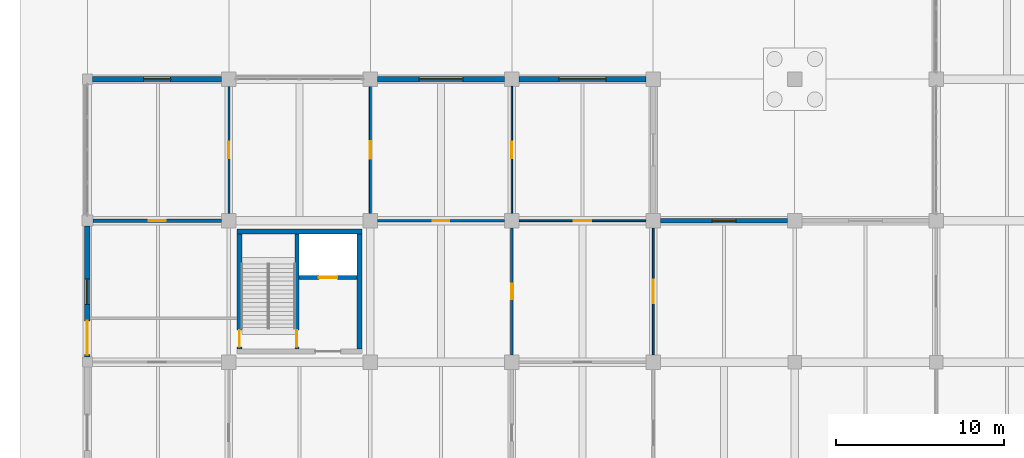
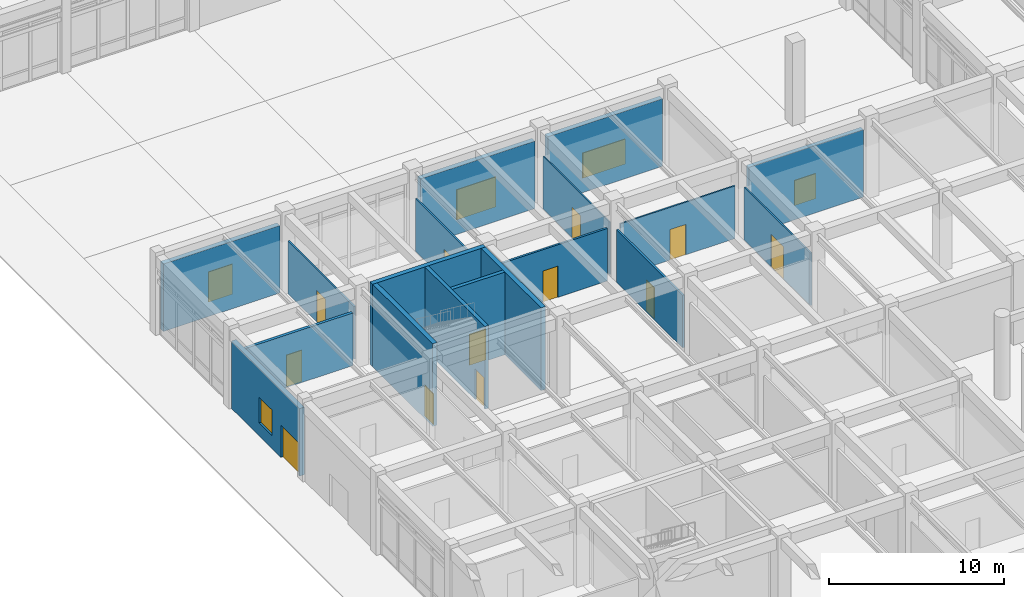
# One storey, part 71 of 91: 18 walls, 12 doors, 5 windows, 17 openings.
"""IFC4 building model written with IfcOpenShell, lengths in metres."""

from ifc_helpers import new_model, si_unit, direction, frame, frame_2d, origin, place, context, subcontext, project, spatial, rectangle, extrude, material, layer, layer_set, type_object, element, fill, save


model = new_model("IFC4")

# Units and contexts
model_context = context("Model", 3, precision=1e-05, world=origin(), true_north=direction((0.0, 1.0)))
body_context = subcontext(model_context, "Body", "Model", "MODEL_VIEW")
ifc_project = project(units=[si_unit("LENGTHUNIT", "METRE"), si_unit("AREAUNIT", "SQUARE_METRE"), si_unit("VOLUMEUNIT", "CUBIC_METRE"), si_unit("PLANEANGLEUNIT", "RADIAN"), si_unit("MASSUNIT", "GRAM", prefix="KILO")], contexts=[model_context])

# Site, building, storey
site_placement = place(None, origin())
site = spatial("IfcSite", under=ifc_project, at=site_placement, CompositionType="ELEMENT")
building_placement = place(site_placement, origin())
building = spatial("IfcBuilding", under=site, at=building_placement, Name="Porcellanite Civic Hall", CompositionType="ELEMENT")
storey_placement = place(building_placement, origin())
storey = spatial("IfcBuildingStorey", under=building, at=storey_placement, Name="L00", CompositionType="ELEMENT", Elevation=0.0)

# Wall, opening, door
ifc_material_1 = material(Name="Concrete N40 (40 MPa)", Category="concrete")
ifc_layer_1 = layer(ifc_material_1, 0.239990234375)
ifc_layer_set_1 = layer_set([ifc_layer_1], Name="Concrete N40 (40 MPa)")
wall_type_1 = type_object("IfcWallType", Name="CW-SH240", PredefinedType="SHEAR", material=ifc_layer_set_1)
wall_1_placement = place(storey_placement, frame((12.43994140625, 59.580078125, 0.0), z_axis=(0.0, 0.0, 1.0), x_axis=(0.0, 1.0, 0.0)))
wall_1 = element("IfcWall", 1, at=wall_1_placement, inside=storey, type_object=wall_type_1, Name="Core divider C2 L00", PredefinedType="SHEAR", context=body_context, shape_type="SweptSolid", body=[
    extrude(rectangle(XDim=6.83984375, YDim=0.239990234375, at=frame_2d((3.419921875, 0.0))), origin(), (0.0, 0.0, 1.0), 5.760009765625),
])
opening_1_placement = place(wall_1_placement, frame((0.1201171875, 0.0, 0.0)))
opening_1 = element("IfcOpeningElement", 2, at=opening_1_placement, cuts=wall_1, Name="Opening FD-C2-L00-ST", PredefinedType="OPENING", context=body_context, shape_type="SweptSolid", body=[
    extrude(rectangle(XDim=1.0, YDim=2.14990234375, at=frame_2d((0.5, 1.074951171875))), frame((0.0, 0.1201171875, 0.0), z_axis=(0.0, -1.0, 0.0), x_axis=(1.0, 0.0, 0.0)), (0.0, 0.0, 1.0), 0.239990234375),
])
ifc_material_2 = material(Name="Fire-rated solid-core hardwood timber", Category="wood")
door_type_1 = type_object("IfcDoorType", Name="DR-FD100", OperationType="NOTDEFINED", PredefinedType="DOOR", material=ifc_material_2)
door_1_placement = place(opening_1_placement, origin())
door_1 = element("IfcDoor", 3, at=door_1_placement, inside=storey, type_object=door_type_1, Name="Fire stair door FD-C2-L00-ST", OperationType="SINGLE_SWING_LEFT", OverallHeight=2.14990234375, OverallWidth=1.0, PredefinedType="DOOR", context=body_context, shape_type="SweptSolid", body=[
    extrude(rectangle(XDim=1.0, YDim=2.14990234375, at=frame_2d((0.5, 1.074951171875))), frame((0.0, 0.02490234375, 0.0), z_axis=(0.0, -1.0, 0.0), x_axis=(1.0, 0.0, 0.0)), (0.0, 0.0, 1.0), 0.050048828125),
])
fill(opening_1, door_1)

wall_2_placement = place(storey_placement, frame((12.56005859375, 63.820068359375, 0.0), z_axis=(0.0, 0.0, 1.0), x_axis=(1.0, 0.0, 0.0)))
wall_2 = element("IfcWall", 4, at=wall_2_placement, inside=storey, type_object=wall_type_1, Name="Lift shaft wall C2 L00", PredefinedType="SHEAR", context=body_context, shape_type="SweptSolid", body=[
    extrude(rectangle(XDim=3.4599609375, YDim=0.239990234375, at=frame_2d((1.72998046875, 0.0))), origin(), (0.0, 0.0, 1.0), 5.760009765625),
])
opening_2_placement = place(wall_2_placement, frame((1.179931640625, 0.0, 0.0)))
opening_2 = element("IfcOpeningElement", 5, at=opening_2_placement, cuts=wall_2, Name="Opening LD-04", PredefinedType="OPENING", context=body_context, shape_type="SweptSolid", body=[
    extrude(rectangle(XDim=1.10009765625, YDim=2.14990234375, at=frame_2d((0.550048828125, 1.074951171875))), frame((0.0, 0.1201171875, 0.0), z_axis=(0.0, -1.0, 0.0), x_axis=(1.0, 0.0, 0.0)), (0.0, 0.0, 1.0), 0.239990234375),
])
ifc_material_3 = material(Name="Brushed stainless steel 316", Category="steel")
door_type_2 = type_object("IfcDoorType", Name="DR-LD110", OperationType="DOUBLE_DOOR_SLIDING", PredefinedType="DOOR", material=ifc_material_3)
door_2_placement = place(opening_2_placement, origin())
door_2 = element("IfcDoor", 6, at=door_2_placement, inside=storey, type_object=door_type_2, Name="Lift landing sliding door LD-04 L00", OperationType="DOUBLE_DOOR_SLIDING", OverallHeight=2.14990234375, OverallWidth=1.10009765625, PredefinedType="DOOR", context=body_context, shape_type="SweptSolid", body=[
    extrude(rectangle(XDim=1.10009765625, YDim=2.14990234375, at=frame_2d((0.550048828125, 1.074951171875))), frame((0.0, 0.02490234375, 0.0), z_axis=(0.0, -1.0, 0.0), x_axis=(1.0, 0.0, 0.0)), (0.0, 0.0, 1.0), 0.050048828125),
])
fill(opening_2, door_2)

ifc_material_4 = material(Name="Concrete N40 (40 MPa)", Category="concrete")
ifc_layer_2 = layer(ifc_material_4, 0.300048828125)
ifc_layer_set_2 = layer_set([ifc_layer_2], Name="Concrete N40 (40 MPa)")
wall_type_2 = type_object("IfcWallType", Name="CW-SH300", PredefinedType="SHEAR", material=ifc_layer_set_2)
wall_3_placement = place(storey_placement, frame((9.030029296875, 59.580078125, 0.0), z_axis=(0.0, 0.0, 1.0), x_axis=(0.0, 1.0, 0.0)))
wall_3 = element("IfcWall", 7, at=wall_3_placement, inside=storey, type_object=wall_type_2, Name="Core wall C2 L00 W", PredefinedType="SHEAR", context=body_context, shape_type="SweptSolid", body=[
    extrude(rectangle(XDim=6.83984375, YDim=0.300048828125, at=frame_2d((3.419921875, 0.0))), origin(), (0.0, 0.0, 1.0), 5.760009765625),
])
opening_3_placement = place(wall_3_placement, frame((0.1201171875, 0.0, 0.0)))
opening_3 = element("IfcOpeningElement", 8, at=opening_3_placement, cuts=wall_3, Name="Opening FD-C2-L00-EX", PredefinedType="OPENING", context=body_context, shape_type="SweptSolid", body=[
    extrude(rectangle(XDim=1.0, YDim=2.14990234375, at=frame_2d((0.5, 1.074951171875))), frame((0.0, 0.14990234375, 0.0), z_axis=(0.0, -1.0, 0.0), x_axis=(1.0, 0.0, 0.0)), (0.0, 0.0, 1.0), 0.300048828125),
])
door_3_placement = place(opening_3_placement, origin())
door_3 = element("IfcDoor", 9, at=door_3_placement, inside=storey, type_object=door_type_1, Name="Fire stair exit door FD-C2-L00-EX", OperationType="SINGLE_SWING_RIGHT", OverallHeight=2.14990234375, OverallWidth=1.0, PredefinedType="DOOR", context=body_context, shape_type="SweptSolid", body=[
    extrude(rectangle(XDim=1.0, YDim=2.14990234375, at=frame_2d((0.5, 1.074951171875))), frame((0.0, 0.02490234375, 0.0), z_axis=(0.0, -1.0, 0.0), x_axis=(1.0, 0.0, 0.0)), (0.0, 0.0, 1.0), 0.050048828125),
])
fill(opening_3, door_3)

# Walls
wall_4_placement = place(storey_placement, frame((8.8798828125, 66.570068359375, 0.0), z_axis=(0.0, 0.0, 1.0), x_axis=(1.0, 0.0, 0.0)))
element("IfcWall", 10, at=wall_4_placement, inside=storey, type_object=wall_type_2, Name="Core wall C2 L00 N", PredefinedType="SHEAR", context=body_context, shape_type="SweptSolid", body=[
    extrude(rectangle(XDim=7.440185546875, YDim=0.300048828125, at=frame_2d((3.72021484375, 0.0))), origin(), (0.0, 0.0, 1.0), 5.760009765625),
])
wall_5_placement = place(storey_placement, frame((16.169921875, 66.419921875, 0.0), z_axis=(0.0, 0.0, 1.0), x_axis=(0.0, -1.0, 0.0)))
element("IfcWall", 11, at=wall_5_placement, inside=storey, type_object=wall_type_2, Name="Core wall C2 L00 E", PredefinedType="SHEAR", context=body_context, shape_type="SweptSolid", body=[
    extrude(rectangle(XDim=6.83984375, YDim=0.300048828125, at=frame_2d((3.419921875, 0.0))), origin(), (0.0, 0.0, 1.0), 5.760009765625),
])

# Wall, opening, window
ifc_material_5 = material(Name="Precast concrete N40 (40 MPa)", Category="concrete")
ifc_layer_3 = layer(ifc_material_5, 0.280029296875)
ifc_layer_set_3 = layer_set([ifc_layer_3], Name="Precast concrete N40 (40 MPa)")
wall_type_3 = type_object("IfcWallType", Name="EW-CLO280", PredefinedType="SOLIDWALL", material=ifc_layer_set_3)
wall_6_placement = place(storey_placement, frame((34.02587890625, 67.199951171875, 0.0), z_axis=(0.0, 0.0, 1.0), x_axis=(1.0, 0.0, 0.0)))
wall_6 = element("IfcWall", 12, at=wall_6_placement, inside=storey, type_object=wall_type_3, Name="Exterior wall L00 N 5-8", PredefinedType="SOLIDWALL", context=body_context, shape_type="SweptSolid", body=[
    extrude(rectangle(XDim=7.548095703125, YDim=0.280029296875, at=frame_2d((3.77392578125, 0.0))), origin(), (0.0, 0.0, 1.0), 4.699951171875),
])
opening_4_placement = place(wall_6_placement, frame((3.073974609375, 0.0, 0.89990234375)))
opening_4 = element("IfcOpeningElement", 13, at=opening_4_placement, cuts=wall_6, Name="Opening W16", PredefinedType="OPENING", context=body_context, shape_type="SweptSolid", body=[
    extrude(rectangle(XDim=1.39990234375, YDim=1.75, at=frame_2d((0.699951171875, 0.875))), frame((0.0, 0.14013671875, 0.0), z_axis=(0.0, -1.0, 0.0), x_axis=(1.0, 0.0, 0.0)), (0.0, 0.0, 1.0), 0.280029296875),
])
ifc_material_6 = material(Name="Cyclone laminated low-E glazing in anodised aluminium frame", Category="aluminium")
window_type_1 = type_object("IfcWindowType", Name="WN-16", PartitioningType="SINGLE_PANEL", PredefinedType="WINDOW", material=ifc_material_6)
window_1_placement = place(opening_4_placement, origin())
window_1 = element("IfcWindow", 14, at=window_1_placement, inside=storey, type_object=window_type_1, Name="Window W16 L00 N 5-8", OverallHeight=1.75, OverallWidth=1.39990234375, PartitioningType="SINGLE_PANEL", PredefinedType="WINDOW", context=body_context, shape_type="SweptSolid", body=[
    extrude(rectangle(XDim=1.39990234375, YDim=1.75, at=frame_2d((0.699951171875, 0.875))), frame((0.0, 0.030029296875, 0.0), z_axis=(0.0, -1.0, 0.0), x_axis=(1.0, 0.0, 0.0)), (0.0, 0.0, 1.0), 0.06005859375),
])
fill(opening_4, window_1)

# Wall, openings, door, window
ifc_material_7 = material(Name="Precast concrete N40 (40 MPa)", Category="concrete")
ifc_layer_4 = layer(ifc_material_7, 0.320068359375)
ifc_layer_set_4 = layer_set([ifc_layer_4], Name="Precast concrete N40 (40 MPa)")
wall_type_4 = type_object("IfcWallType", Name="EW-COM320", PredefinedType="SOLIDWALL", material=ifc_layer_set_4)
wall_7_placement = place(storey_placement, frame((0.0, 59.10107421875, 0.0), z_axis=(0.0, 0.0, 1.0), x_axis=(0.0, 1.0, 0.0)))
wall_7 = element("IfcWall", 15, at=wall_7_placement, inside=storey, type_object=wall_type_4, Name="Exterior wall L00 W 1-8", PredefinedType="SOLIDWALL", context=body_context, shape_type="SweptSolid", body=[
    extrude(rectangle(XDim=7.77294921875, YDim=0.320068359375, at=frame_2d((3.886474609375, 0.0))), origin(), (0.0, 0.0, 1.0), 4.699951171875),
])
opening_5_placement = place(wall_7_placement, frame((3.135986328125, 0.0, 0.89990234375)))
opening_5 = element("IfcOpeningElement", 16, at=opening_5_placement, cuts=wall_7, Name="Opening W04", PredefinedType="OPENING", context=body_context, shape_type="SweptSolid", body=[
    extrude(rectangle(XDim=1.5, YDim=1.800048828125, at=frame_2d((0.75, 0.89990234375))), frame((0.0, 0.16015625, 0.0), z_axis=(0.0, -1.0, 0.0), x_axis=(1.0, 0.0, 0.0)), (0.0, 0.0, 1.0), 0.320068359375),
])
opening_6_placement = place(wall_7_placement, frame((0.14892578125, 0.0, 0.0)))
opening_6 = element("IfcOpeningElement", 17, at=opening_6_placement, cuts=wall_7, Name="Opening ED-22", PredefinedType="OPENING", context=body_context, shape_type="SweptSolid", body=[
    extrude(rectangle(XDim=2.0, YDim=2.25, at=frame_2d((1.0, 1.125))), frame((0.0, 0.16015625, 0.0), z_axis=(0.0, -1.0, 0.0), x_axis=(1.0, 0.0, 0.0)), (0.0, 0.0, 1.0), 0.320068359375),
])
ifc_material_8 = material(Name="Anodised aluminium and laminated safety glass", Category="aluminium")
door_type_3 = type_object("IfcDoorType", Name="DR-EXIT180", OperationType="DOUBLE_DOOR_SINGLE_SWING", PredefinedType="DOOR", material=ifc_material_8)
door_4_placement = place(opening_6_placement, origin())
door_4 = element("IfcDoor", 18, at=door_4_placement, inside=storey, type_object=door_type_3, Name="Pedestrian final exit door ED-22", OperationType="DOUBLE_DOOR_SINGLE_SWING", OverallHeight=2.25, OverallWidth=2.0, PredefinedType="DOOR", context=body_context, shape_type="SweptSolid", body=[
    extrude(rectangle(XDim=2.0, YDim=2.25, at=frame_2d((1.0, 1.125))), frame((0.0, 0.02490234375, 0.0), z_axis=(0.0, -1.0, 0.0), x_axis=(1.0, 0.0, 0.0)), (0.0, 0.0, 1.0), 0.050048828125),
])
fill(opening_6, door_4)
ifc_material_9 = material(Name="Cyclone laminated low-E glazing in anodised aluminium frame", Category="aluminium")
window_type_2 = type_object("IfcWindowType", Name="WN-04", PartitioningType="SINGLE_PANEL", PredefinedType="WINDOW", material=ifc_material_9)
window_2_placement = place(opening_5_placement, origin())
window_2 = element("IfcWindow", 19, at=window_2_placement, inside=storey, type_object=window_type_2, Name="Window W04 L00 W 1-8", OverallHeight=1.800048828125, OverallWidth=1.5, PartitioningType="SINGLE_PANEL", PredefinedType="WINDOW", context=body_context, shape_type="SweptSolid", body=[
    extrude(rectangle(XDim=1.5, YDim=1.800048828125, at=frame_2d((0.75, 0.89990234375))), frame((0.0, 0.030029296875, 0.0), z_axis=(0.0, -1.0, 0.0), x_axis=(1.0, 0.0, 0.0)), (0.0, 0.0, 1.0), 0.06005859375),
])
fill(opening_5, window_2)

# Wall, opening, window
wall_8_placement = place(storey_placement, frame((0.301025390625, 75.60009765625, 0.0), z_axis=(0.0, 0.0, 1.0), x_axis=(1.0, 0.0, 0.0)))
wall_8 = element("IfcWall", 20, at=wall_8_placement, inside=storey, type_object=wall_type_4, Name="Exterior wall L00 N 1-9", PredefinedType="SOLIDWALL", context=body_context, shape_type="SweptSolid", body=[
    extrude(rectangle(XDim=7.673095703125, YDim=0.320068359375, at=frame_2d((3.83642578125, 0.0))), origin(), (0.0, 0.0, 1.0), 4.699951171875),
])
opening_7_placement = place(wall_8_placement, frame((3.037109375, 0.0, 0.89990234375)))
opening_7 = element("IfcOpeningElement", 21, at=opening_7_placement, cuts=wall_8, Name="Opening W05", PredefinedType="OPENING", context=body_context, shape_type="SweptSolid", body=[
    extrude(rectangle(XDim=1.60009765625, YDim=2.10009765625, at=frame_2d((0.800048828125, 1.050048828125))), frame((0.0, 0.16015625, 0.0), z_axis=(0.0, -1.0, 0.0), x_axis=(1.0, 0.0, 0.0)), (0.0, 0.0, 1.0), 0.320068359375),
])
ifc_material_10 = material(Name="Cyclone laminated low-E glazing in anodised aluminium frame", Category="aluminium")
window_type_3 = type_object("IfcWindowType", Name="WN-05", PartitioningType="DOUBLE_PANEL_VERTICAL", PredefinedType="WINDOW", material=ifc_material_10)
window_3_placement = place(opening_7_placement, origin())
window_3 = element("IfcWindow", 22, at=window_3_placement, inside=storey, type_object=window_type_3, Name="Window W05 L00 N 1-9", OverallHeight=2.10009765625, OverallWidth=1.60009765625, PartitioningType="SINGLE_PANEL", PredefinedType="WINDOW", context=body_context, shape_type="SweptSolid", body=[
    extrude(rectangle(XDim=1.60009765625, YDim=2.10009765625, at=frame_2d((0.800048828125, 1.050048828125))), frame((0.0, 0.030029296875, 0.0), z_axis=(0.0, -1.0, 0.0), x_axis=(1.0, 0.0, 0.0)), (0.0, 0.0, 1.0), 0.06005859375),
])
fill(opening_7, window_3)

wall_9_placement = place(storey_placement, frame((17.22607421875, 75.60009765625, 0.0), z_axis=(0.0, 0.0, 1.0), x_axis=(1.0, 0.0, 0.0)))
wall_9 = element("IfcWall", 23, at=wall_9_placement, inside=storey, type_object=wall_type_4, Name="Exterior wall L00 N 3-9", PredefinedType="SOLIDWALL", context=body_context, shape_type="SweptSolid", body=[
    extrude(rectangle(XDim=7.5478515625, YDim=0.320068359375, at=frame_2d((3.77392578125, 0.0))), origin(), (0.0, 0.0, 1.0), 4.699951171875),
])
opening_8_placement = place(wall_9_placement, frame((2.47412109375, 0.0, 0.89990234375)))
opening_8 = element("IfcOpeningElement", 24, at=opening_8_placement, cuts=wall_9, Name="Opening W07", PredefinedType="OPENING", context=body_context, shape_type="SweptSolid", body=[
    extrude(rectangle(XDim=2.60009765625, YDim=2.10009765625, at=frame_2d((1.300048828125, 1.050048828125))), frame((0.0, 0.16015625, 0.0), z_axis=(0.0, -1.0, 0.0), x_axis=(1.0, 0.0, 0.0)), (0.0, 0.0, 1.0), 0.320068359375),
])
ifc_material_11 = material(Name="Cyclone laminated low-E glazing in anodised aluminium frame", Category="aluminium")
window_type_4 = type_object("IfcWindowType", Name="WN-07", PartitioningType="TRIPLE_PANEL_VERTICAL", PredefinedType="WINDOW", material=ifc_material_11)
window_4_placement = place(opening_8_placement, origin())
window_4 = element("IfcWindow", 25, at=window_4_placement, inside=storey, type_object=window_type_4, Name="Window W07 L00 N 3-9", OverallHeight=2.10009765625, OverallWidth=2.60009765625, PartitioningType="SINGLE_PANEL", PredefinedType="WINDOW", context=body_context, shape_type="SweptSolid", body=[
    extrude(rectangle(XDim=2.60009765625, YDim=2.10009765625, at=frame_2d((1.300048828125, 1.050048828125))), frame((0.0, 0.030029296875, 0.0), z_axis=(0.0, -1.0, 0.0), x_axis=(1.0, 0.0, 0.0)), (0.0, 0.0, 1.0), 0.06005859375),
])
fill(opening_8, window_4)

wall_10_placement = place(storey_placement, frame((25.6259765625, 75.60009765625, 0.0), z_axis=(0.0, 0.0, 1.0), x_axis=(1.0, 0.0, 0.0)))
wall_10 = element("IfcWall", 26, at=wall_10_placement, inside=storey, type_object=wall_type_4, Name="Exterior wall L00 N 4-9", PredefinedType="SOLIDWALL", context=body_context, shape_type="SweptSolid", body=[
    extrude(rectangle(XDim=7.548095703125, YDim=0.320068359375, at=frame_2d((3.77392578125, 0.0))), origin(), (0.0, 0.0, 1.0), 4.699951171875),
])
opening_9_placement = place(wall_10_placement, frame((2.3740234375, 0.0, 0.89990234375)))
opening_9 = element("IfcOpeningElement", 27, at=opening_9_placement, cuts=wall_10, Name="Opening W14", PredefinedType="OPENING", context=body_context, shape_type="SweptSolid", body=[
    extrude(rectangle(XDim=2.800048828125, YDim=1.75, at=frame_2d((1.39990234375, 0.875))), frame((0.0, 0.16015625, 0.0), z_axis=(0.0, -1.0, 0.0), x_axis=(1.0, 0.0, 0.0)), (0.0, 0.0, 1.0), 0.320068359375),
])
ifc_material_12 = material(Name="Cyclone laminated low-E glazing in anodised aluminium frame", Category="aluminium")
window_type_5 = type_object("IfcWindowType", Name="WN-14", PartitioningType="TRIPLE_PANEL_VERTICAL", PredefinedType="WINDOW", material=ifc_material_12)
window_5_placement = place(opening_9_placement, origin())
window_5 = element("IfcWindow", 28, at=window_5_placement, inside=storey, type_object=window_type_5, Name="Window W14 L00 N 4-9", OverallHeight=1.75, OverallWidth=2.800048828125, PartitioningType="SINGLE_PANEL", PredefinedType="WINDOW", context=body_context, shape_type="SweptSolid", body=[
    extrude(rectangle(XDim=2.800048828125, YDim=1.75, at=frame_2d((1.39990234375, 0.875))), frame((0.0, 0.030029296875, 0.0), z_axis=(0.0, -1.0, 0.0), x_axis=(1.0, 0.0, 0.0)), (0.0, 0.0, 1.0), 0.06005859375),
])
fill(opening_9, window_5)

# Wall, opening, door
ifc_material_13 = material(Name="Insulated acoustic plasterboard on light-gauge steel studs", Category="steel")
ifc_layer_5 = layer(ifc_material_13, 0.087890625)
ifc_layer_set_5 = layer_set([ifc_layer_5], Name="Insulated acoustic plasterboard on light-gauge steel studs")
wall_type_5 = type_object("IfcWallType", Name="IW-PT088", PredefinedType="PARTITIONING", material=ifc_layer_set_5)
wall_11_placement = place(storey_placement, frame((25.199951171875, 67.626953125, 0.0), z_axis=(0.0, 0.0, 1.0), x_axis=(0.0, 1.0, 0.0)))
wall_11 = element("IfcWall", 29, at=wall_11_placement, inside=storey, type_object=wall_type_5, Name="Partition L00 V 3-9", PredefinedType="PARTITIONING", context=body_context, shape_type="SweptSolid", body=[
    extrude(rectangle(XDim=7.546142578125, YDim=0.087890625, at=frame_2d((3.77294921875, 0.0))), origin(), (0.0, 0.0, 1.0), 3.659912109375),
])
opening_10_placement = place(wall_11_placement, frame((3.2880859375, 0.0, 0.0)))
opening_10 = element("IfcOpeningElement", 30, at=opening_10_placement, cuts=wall_11, Name="Opening D-L00-154", PredefinedType="OPENING", context=body_context, shape_type="SweptSolid", body=[
    extrude(rectangle(XDim=0.969970703125, YDim=2.1201171875, at=frame_2d((0.48486328125, 1.06005859375))), frame((0.0, 0.0439453125, 0.0), z_axis=(0.0, -1.0, 0.0), x_axis=(1.0, 0.0, 0.0)), (0.0, 0.0, 1.0), 0.087890625),
])
ifc_material_14 = material(Name="Solid-core spotted-gum timber", Category="wood")
door_type_4 = type_object("IfcDoorType", Name="DR-RM097", OperationType="NOTDEFINED", PredefinedType="DOOR", material=ifc_material_14)
door_5_placement = place(opening_10_placement, origin())
door_5 = element("IfcDoor", 31, at=door_5_placement, inside=storey, type_object=door_type_4, Name="Interior door D-L00-154", OperationType="SINGLE_SWING_RIGHT", OverallHeight=2.1201171875, OverallWidth=0.969970703125, PredefinedType="DOOR", context=body_context, shape_type="SweptSolid", body=[
    extrude(rectangle(XDim=0.969970703125, YDim=2.1201171875, at=frame_2d((0.48486328125, 1.06005859375))), frame((0.0, 0.02490234375, 0.0), z_axis=(0.0, -1.0, 0.0), x_axis=(1.0, 0.0, 0.0)), (0.0, 0.0, 1.0), 0.050048828125),
])
fill(opening_10, door_5)

ifc_material_15 = material(Name="Insulated acoustic plasterboard on light-gauge steel studs", Category="steel")
ifc_layer_6 = layer(ifc_material_15, 0.10498046875)
ifc_layer_set_6 = layer_set([ifc_layer_6], Name="Insulated acoustic plasterboard on light-gauge steel studs")
wall_type_6 = type_object("IfcWallType", Name="IW-PT105", PredefinedType="PARTITIONING", material=ifc_layer_set_6)
wall_12_placement = place(storey_placement, frame((25.626953125, 67.199951171875, 0.0), z_axis=(0.0, 0.0, 1.0), x_axis=(1.0, 0.0, 0.0)))
wall_12 = element("IfcWall", 32, at=wall_12_placement, inside=storey, type_object=wall_type_6, Name="Partition L00 H 4-8", PredefinedType="PARTITIONING", context=body_context, shape_type="SweptSolid", body=[
    extrude(rectangle(XDim=7.546142578125, YDim=0.10498046875, at=frame_2d((3.77294921875, 0.0))), origin(), (0.0, 0.0, 1.0), 3.659912109375),
])
opening_11_placement = place(wall_12_placement, frame((3.248046875, 0.0, 0.0)))
opening_11 = element("IfcOpeningElement", 33, at=opening_11_placement, cuts=wall_12, Name="Opening D-L00-100", PredefinedType="OPENING", context=body_context, shape_type="SweptSolid", body=[
    extrude(rectangle(XDim=1.050048828125, YDim=2.1201171875, at=frame_2d((0.52490234375, 1.06005859375))), frame((0.0, 0.052490234375, 0.0), z_axis=(0.0, -1.0, 0.0), x_axis=(1.0, 0.0, 0.0)), (0.0, 0.0, 1.0), 0.10498046875),
])
ifc_material_16 = material(Name="Solid-core spotted-gum timber", Category="wood")
door_type_5 = type_object("IfcDoorType", Name="DR-RM105", OperationType="NOTDEFINED", PredefinedType="DOOR", material=ifc_material_16)
door_6_placement = place(opening_11_placement, origin())
door_6 = element("IfcDoor", 34, at=door_6_placement, inside=storey, type_object=door_type_5, Name="Interior door D-L00-100", OperationType="SINGLE_SWING_LEFT", OverallHeight=2.1201171875, OverallWidth=1.050048828125, PredefinedType="DOOR", context=body_context, shape_type="SweptSolid", body=[
    extrude(rectangle(XDim=1.050048828125, YDim=2.1201171875, at=frame_2d((0.52490234375, 1.06005859375))), frame((0.0, 0.02490234375, 0.0), z_axis=(0.0, -1.0, 0.0), x_axis=(1.0, 0.0, 0.0)), (0.0, 0.0, 1.0), 0.050048828125),
])
fill(opening_11, door_6)

wall_13_placement = place(storey_placement, frame((33.60009765625, 59.22705078125, 0.0), z_axis=(0.0, 0.0, 1.0), x_axis=(0.0, 1.0, 0.0)))
wall_13 = element("IfcWall", 35, at=wall_13_placement, inside=storey, type_object=wall_type_6, Name="Partition L00 V 4-8", PredefinedType="PARTITIONING", context=body_context, shape_type="SweptSolid", body=[
    extrude(rectangle(XDim=7.5458984375, YDim=0.10498046875, at=frame_2d((3.77294921875, 0.0))), origin(), (0.0, 0.0, 1.0), 3.659912109375),
])
opening_12_placement = place(wall_13_placement, frame((3.072998046875, 0.0, 0.0)))
opening_12 = element("IfcOpeningElement", 36, at=opening_12_placement, cuts=wall_13, Name="Opening D-L00-075", PredefinedType="OPENING", context=body_context, shape_type="SweptSolid", body=[
    extrude(rectangle(XDim=1.39990234375, YDim=2.25, at=frame_2d((0.699951171875, 1.125))), frame((0.0, 0.052490234375, 0.0), z_axis=(0.0, -1.0, 0.0), x_axis=(1.0, 0.0, 0.0)), (0.0, 0.0, 1.0), 0.10498046875),
])
ifc_material_17 = material(Name="Acoustic spotted-gum timber and safety glass", Category="wood")
door_type_6 = type_object("IfcDoorType", Name="DR-AS140", OperationType="DOUBLE_DOOR_SINGLE_SWING", PredefinedType="DOOR", material=ifc_material_17)
door_7_placement = place(opening_12_placement, origin())
door_7 = element("IfcDoor", 37, at=door_7_placement, inside=storey, type_object=door_type_6, Name="Interior door D-L00-075", OperationType="DOUBLE_DOOR_SINGLE_SWING", OverallHeight=2.25, OverallWidth=1.39990234375, PredefinedType="DOOR", context=body_context, shape_type="SweptSolid", body=[
    extrude(rectangle(XDim=1.39990234375, YDim=2.25, at=frame_2d((0.699951171875, 1.125))), frame((0.0, 0.02490234375, 0.0), z_axis=(0.0, -1.0, 0.0), x_axis=(1.0, 0.0, 0.0)), (0.0, 0.0, 1.0), 0.050048828125),
])
fill(opening_12, door_7)

ifc_material_18 = material(Name="Insulated acoustic plasterboard on light-gauge steel studs", Category="steel")
ifc_layer_7 = layer(ifc_material_18, 0.114990234375)
ifc_layer_set_7 = layer_set([ifc_layer_7], Name="Insulated acoustic plasterboard on light-gauge steel studs")
wall_type_7 = type_object("IfcWallType", Name="IW-PT115", PredefinedType="PARTITIONING", material=ifc_layer_set_7)
wall_14_placement = place(storey_placement, frame((16.800048828125, 67.626953125, 0.0), z_axis=(0.0, 0.0, 1.0), x_axis=(0.0, 1.0, 0.0)))
wall_14 = element("IfcWall", 38, at=wall_14_placement, inside=storey, type_object=wall_type_7, Name="Partition L00 V 2-9", PredefinedType="PARTITIONING", context=body_context, shape_type="SweptSolid", body=[
    extrude(rectangle(XDim=7.546142578125, YDim=0.114990234375, at=frame_2d((3.77294921875, 0.0))), origin(), (0.0, 0.0, 1.0), 3.659912109375),
])
opening_13_placement = place(wall_14_placement, frame((3.248046875, 0.0, 0.0)))
opening_13 = element("IfcOpeningElement", 39, at=opening_13_placement, cuts=wall_14, Name="Opening D-L00-152", PredefinedType="OPENING", context=body_context, shape_type="SweptSolid", body=[
    extrude(rectangle(XDim=1.050048828125, YDim=2.1201171875, at=frame_2d((0.52490234375, 1.06005859375))), frame((0.0, 0.0576171875, 0.0), z_axis=(0.0, -1.0, 0.0), x_axis=(1.0, 0.0, 0.0)), (0.0, 0.0, 1.0), 0.114990234375),
])
door_8_placement = place(opening_13_placement, origin())
door_8 = element("IfcDoor", 40, at=door_8_placement, inside=storey, type_object=door_type_5, Name="Interior door D-L00-152", OperationType="SINGLE_SWING_RIGHT", OverallHeight=2.1201171875, OverallWidth=1.050048828125, PredefinedType="DOOR", context=body_context, shape_type="SweptSolid", body=[
    extrude(rectangle(XDim=1.050048828125, YDim=2.1201171875, at=frame_2d((0.52490234375, 1.06005859375))), frame((0.0, 0.02490234375, 0.0), z_axis=(0.0, -1.0, 0.0), x_axis=(1.0, 0.0, 0.0)), (0.0, 0.0, 1.0), 0.050048828125),
])
fill(opening_13, door_8)

ifc_material_19 = material(Name="Insulated acoustic plasterboard on light-gauge steel studs", Category="steel")
ifc_layer_8 = layer(ifc_material_19, 0.135009765625)
ifc_layer_set_8 = layer_set([ifc_layer_8], Name="Insulated acoustic plasterboard on light-gauge steel studs")
wall_type_8 = type_object("IfcWallType", Name="IW-PT135", PredefinedType="PARTITIONING", material=ifc_layer_set_8)
wall_15_placement = place(storey_placement, frame((17.22705078125, 67.199951171875, 0.0), z_axis=(0.0, 0.0, 1.0), x_axis=(1.0, 0.0, 0.0)))
wall_15 = element("IfcWall", 41, at=wall_15_placement, inside=storey, type_object=wall_type_8, Name="Partition L00 H 3-8", PredefinedType="PARTITIONING", context=body_context, shape_type="SweptSolid", body=[
    extrude(rectangle(XDim=7.5458984375, YDim=0.135009765625, at=frame_2d((3.77294921875, 0.0))), origin(), (0.0, 0.0, 1.0), 3.659912109375),
])
opening_14_placement = place(wall_15_placement, frame((3.282958984375, 0.0, 0.0)))
opening_14 = element("IfcOpeningElement", 42, at=opening_14_placement, cuts=wall_15, Name="Opening D-L00-044", PredefinedType="OPENING", context=body_context, shape_type="SweptSolid", body=[
    extrude(rectangle(XDim=0.97998046875, YDim=2.179931640625, at=frame_2d((0.489990234375, 1.08984375))), frame((0.0, 0.0673828125, 0.0), z_axis=(0.0, -1.0, 0.0), x_axis=(1.0, 0.0, 0.0)), (0.0, 0.0, 1.0), 0.135009765625),
])
ifc_material_20 = material(Name="Solid-core spotted-gum timber", Category="wood")
door_type_7 = type_object("IfcDoorType", Name="DR-RM098", OperationType="NOTDEFINED", PredefinedType="DOOR", material=ifc_material_20)
door_9_placement = place(opening_14_placement, origin())
door_9 = element("IfcDoor", 43, at=door_9_placement, inside=storey, type_object=door_type_7, Name="Interior door D-L00-044", OperationType="SINGLE_SWING_RIGHT", OverallHeight=2.179931640625, OverallWidth=0.97998046875, PredefinedType="DOOR", context=body_context, shape_type="SweptSolid", body=[
    extrude(rectangle(XDim=0.97998046875, YDim=2.179931640625, at=frame_2d((0.489990234375, 1.08984375))), frame((0.0, 0.02490234375, 0.0), z_axis=(0.0, -1.0, 0.0), x_axis=(1.0, 0.0, 0.0)), (0.0, 0.0, 1.0), 0.050048828125),
])
fill(opening_14, door_9)

wall_16_placement = place(storey_placement, frame((25.199951171875, 59.22705078125, 0.0), z_axis=(0.0, 0.0, 1.0), x_axis=(0.0, 1.0, 0.0)))
wall_16 = element("IfcWall", 44, at=wall_16_placement, inside=storey, type_object=wall_type_8, Name="Partition L00 V 3-8", PredefinedType="PARTITIONING", context=body_context, shape_type="SweptSolid", body=[
    extrude(rectangle(XDim=7.5458984375, YDim=0.135009765625, at=frame_2d((3.77294921875, 0.0))), origin(), (0.0, 0.0, 1.0), 3.659912109375),
])
opening_15_placement = place(wall_16_placement, frame((3.31298828125, 0.0, 0.0)))
opening_15 = element("IfcOpeningElement", 45, at=opening_15_placement, cuts=wall_16, Name="Opening D-L00-073", PredefinedType="OPENING", context=body_context, shape_type="SweptSolid", body=[
    extrude(rectangle(XDim=0.919921875, YDim=2.14990234375, at=frame_2d((0.4599609375, 1.074951171875))), frame((0.0, 0.0673828125, 0.0), z_axis=(0.0, -1.0, 0.0), x_axis=(1.0, 0.0, 0.0)), (0.0, 0.0, 1.0), 0.135009765625),
])
ifc_material_21 = material(Name="Solid-core spotted-gum timber", Category="wood")
door_type_8 = type_object("IfcDoorType", Name="DR-RM092", OperationType="NOTDEFINED", PredefinedType="DOOR", material=ifc_material_21)
door_10_placement = place(opening_15_placement, origin())
door_10 = element("IfcDoor", 46, at=door_10_placement, inside=storey, type_object=door_type_8, Name="Interior door D-L00-073", OperationType="SINGLE_SWING_RIGHT", OverallHeight=2.14990234375, OverallWidth=0.919921875, PredefinedType="DOOR", context=body_context, shape_type="SweptSolid", body=[
    extrude(rectangle(XDim=0.919921875, YDim=2.14990234375, at=frame_2d((0.4599609375, 1.074951171875))), frame((0.0, 0.02490234375, 0.0), z_axis=(0.0, -1.0, 0.0), x_axis=(1.0, 0.0, 0.0)), (0.0, 0.0, 1.0), 0.050048828125),
])
fill(opening_15, door_10)

ifc_material_22 = material(Name="Insulated acoustic plasterboard on light-gauge steel studs", Category="steel")
ifc_layer_9 = layer(ifc_material_22, 0.195068359375)
ifc_layer_set_9 = layer_set([ifc_layer_9], Name="Insulated acoustic plasterboard on light-gauge steel studs")
wall_type_9 = type_object("IfcWallType", Name="IW-PT195", PredefinedType="PARTITIONING", material=ifc_layer_set_9)
wall_17_placement = place(storey_placement, frame((0.326904296875, 67.199951171875, 0.0), z_axis=(0.0, 0.0, 1.0), x_axis=(1.0, 0.0, 0.0)))
wall_17 = element("IfcWall", 47, at=wall_17_placement, inside=storey, type_object=wall_type_9, Name="Partition L00 H 1-8", PredefinedType="PARTITIONING", context=body_context, shape_type="SweptSolid", body=[
    extrude(rectangle(XDim=7.64599609375, YDim=0.195068359375, at=frame_2d((3.822998046875, 0.0))), origin(), (0.0, 0.0, 1.0), 3.659912109375),
])
opening_16_placement = place(wall_17_placement, frame((3.31298828125, 0.0, 0.0)))
opening_16 = element("IfcOpeningElement", 48, at=opening_16_placement, cuts=wall_17, Name="Opening D-L00-094", PredefinedType="OPENING", context=body_context, shape_type="SweptSolid", body=[
    extrude(rectangle(XDim=1.02001953125, YDim=2.199951171875, at=frame_2d((0.510009765625, 1.10009765625))), frame((0.0, 0.09765625, 0.0), z_axis=(0.0, -1.0, 0.0), x_axis=(1.0, 0.0, 0.0)), (0.0, 0.0, 1.0), 0.195068359375),
])
ifc_material_23 = material(Name="Solid-core spotted-gum timber", Category="wood")
door_type_9 = type_object("IfcDoorType", Name="DR-RM102", OperationType="NOTDEFINED", PredefinedType="DOOR", material=ifc_material_23)
door_11_placement = place(opening_16_placement, origin())
door_11 = element("IfcDoor", 49, at=door_11_placement, inside=storey, type_object=door_type_9, Name="Interior door D-L00-094", OperationType="SINGLE_SWING_LEFT", OverallHeight=2.199951171875, OverallWidth=1.02001953125, PredefinedType="DOOR", context=body_context, shape_type="SweptSolid", body=[
    extrude(rectangle(XDim=1.02001953125, YDim=2.199951171875, at=frame_2d((0.510009765625, 1.10009765625))), frame((0.0, 0.02490234375, 0.0), z_axis=(0.0, -1.0, 0.0), x_axis=(1.0, 0.0, 0.0)), (0.0, 0.0, 1.0), 0.050048828125),
])
fill(opening_16, door_11)

ifc_material_24 = material(Name="Acoustic timber-veneered operable panel system", Category="wood")
ifc_layer_10 = layer(ifc_material_24, 0.110107421875)
ifc_layer_set_10 = layer_set([ifc_layer_10], Name="Acoustic timber-veneered operable panel system")
wall_type_10 = type_object("IfcWallType", Name="MW-OP110", PredefinedType="MOVABLE", material=ifc_layer_set_10)
wall_18_placement = place(storey_placement, frame((8.39990234375, 67.626953125, 0.0), z_axis=(0.0, 0.0, 1.0), x_axis=(0.0, 1.0, 0.0)))
wall_18 = element("IfcWall", 50, at=wall_18_placement, inside=storey, type_object=wall_type_10, Name="Partition L00 V 1-9", PredefinedType="MOVABLE", context=body_context, shape_type="SweptSolid", body=[
    extrude(rectangle(XDim=7.546142578125, YDim=0.110107421875, at=frame_2d((3.77294921875, 0.0))), origin(), (0.0, 0.0, 1.0), 3.659912109375),
])
opening_17_placement = place(wall_18_placement, frame((3.27294921875, 0.0, 0.0)))
opening_17 = element("IfcOpeningElement", 51, at=opening_17_placement, cuts=wall_18, Name="Opening D-L00-121", PredefinedType="OPENING", context=body_context, shape_type="SweptSolid", body=[
    extrude(rectangle(XDim=1.0, YDim=2.199951171875, at=frame_2d((0.5, 1.10009765625))), frame((0.0, 0.05517578125, 0.0), z_axis=(0.0, -1.0, 0.0), x_axis=(1.0, 0.0, 0.0)), (0.0, 0.0, 1.0), 0.110107421875),
])
ifc_material_25 = material(Name="Solid-core spotted-gum timber", Category="wood")
door_type_10 = type_object("IfcDoorType", Name="DR-RM100", OperationType="NOTDEFINED", PredefinedType="DOOR", material=ifc_material_25)
door_12_placement = place(opening_17_placement, origin())
door_12 = element("IfcDoor", 52, at=door_12_placement, inside=storey, type_object=door_type_10, Name="Interior door D-L00-121", OperationType="SINGLE_SWING_RIGHT", OverallHeight=2.199951171875, OverallWidth=1.0, PredefinedType="DOOR", context=body_context, shape_type="SweptSolid", body=[
    extrude(rectangle(XDim=1.0, YDim=2.199951171875, at=frame_2d((0.5, 1.10009765625))), frame((0.0, 0.02490234375, 0.0), z_axis=(0.0, -1.0, 0.0), x_axis=(1.0, 0.0, 0.0)), (0.0, 0.0, 1.0), 0.050048828125),
])
fill(opening_17, door_12)

save(model, "model.ifc")
